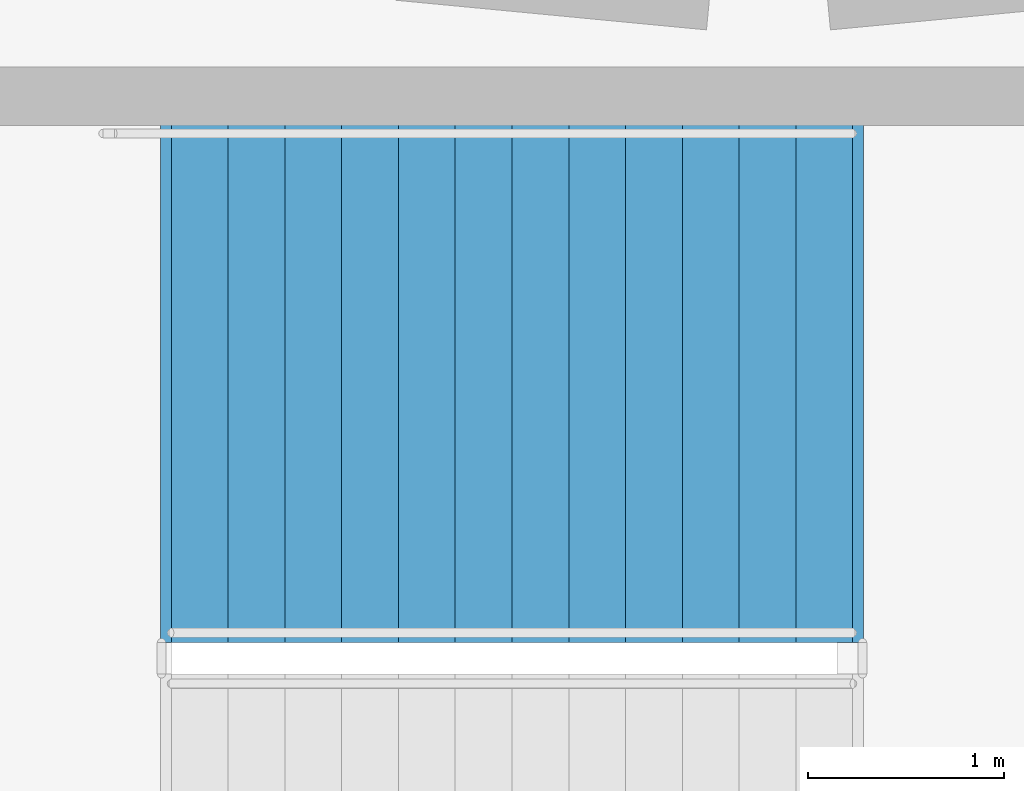
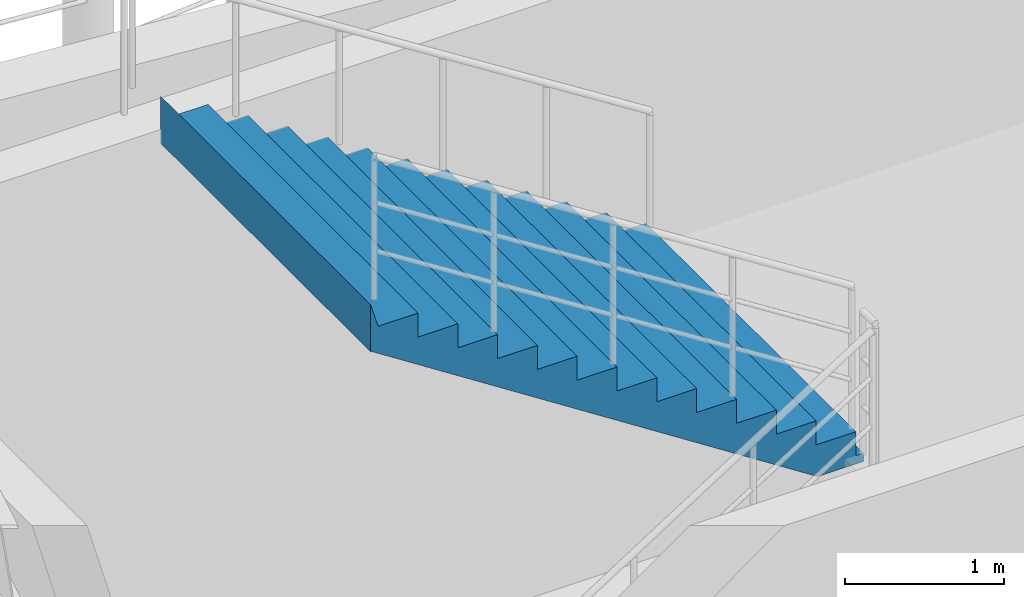
# One storey, part 117 of 144: 1 stair flight, 1 element without a shape of its own.
"""IFC4 building model written with IfcOpenShell, lengths in metres."""

import ifcopenshell
import ifcopenshell.guid

model = None  # the IFC model being written
_history = None  # IfcOwnerHistory: only IFC2X3 demands one
_inside = {}  # id of a spatial element -> (the spatial element, [elements in it])
_under = {}  # id of a project, library or spatial element -> (it, [spatial elements below it])
_declared = {}  # id of a project -> (the project, [libraries it declares])
_typed = {}  # id of a type object -> (the type object, [elements of that type])
_made_of = {}  # id of a material, layer set ... -> (it, [elements and type objects made of it])


def new_model(schema):
    """Start an empty IFC model of exactly this schema.

    Asked for "IFC4X3", IfcOpenShell would pick the latest addendum, in which some entities
    have other attributes; the version numbers below select the first issue.
    IFC2X3 requires an IfcOwnerHistory on every rooted entity: one is made here for all.
    """
    global model, _history
    if schema == "IFC4X3":
        model = ifcopenshell.file(schema_version=(4, 3, 0, 0))
    else:
        model = ifcopenshell.file(schema=schema)
    _inside.clear()
    _under.clear()
    _declared.clear()
    _typed.clear()
    _made_of.clear()
    _history = None
    if model.schema == "IFC2X3":
        org = make("IfcOrganization", Name="unknown")
        user = make(
            "IfcPersonAndOrganization",
            ThePerson=make("IfcPerson", FamilyName="unknown"),
            TheOrganization=org,
        )
        app = make(
            "IfcApplication",
            ApplicationDeveloper=org,
            Version="unknown",
            ApplicationFullName="unknown",
            ApplicationIdentifier="unknown",
        )
        _history = make(
            "IfcOwnerHistory",
            OwningUser=user,
            OwningApplication=app,
            ChangeAction="ADDED",
            CreationDate=0,
        )
    return model


def make(cls, **values):
    """One entity of the class cls with the attributes given. An attribute that is None is left unset."""
    return model.create_entity(
        cls, **{name: value for name, value in values.items() if value is not None}
    )


def rooted(cls, **values):
    """An entity with a GlobalId (a new one), such as an element, a storey or a relation."""
    return make(cls, GlobalId=ifcopenshell.guid.new(), OwnerHistory=_history, **values)


def si_unit(unit_type, name, prefix=None):
    """IfcSIUnit, for example si_unit("LENGTHUNIT", "METRE", prefix="MILLI")."""
    return make("IfcSIUnit", UnitType=unit_type, Prefix=prefix, Name=name)


def assignment(units):
    """IfcUnitAssignment: the units of a project."""
    return None if units is None else make("IfcUnitAssignment", Units=units)


def point(xyz):
    """IfcCartesianPoint."""
    return None if xyz is None else make("IfcCartesianPoint", Coordinates=xyz)


def direction(xyz):
    """IfcDirection."""
    return None if xyz is None else make("IfcDirection", DirectionRatios=xyz)


def frame(location, z_axis=None, x_axis=None):
    """IfcAxis2Placement3D, a coordinate frame: its origin and axes. An axis left out is left unset."""
    return make(
        "IfcAxis2Placement3D",
        Location=point(location),
        Axis=direction(z_axis),
        RefDirection=direction(x_axis),
    )


def origin():
    """The frame at (0, 0, 0) with its axes left unset."""
    return frame((0.0, 0.0, 0.0))


def place(relative_to, where):
    """IfcLocalPlacement: puts the frame where relative to a parent placement (None: the world)."""
    return make(
        "IfcLocalPlacement", PlacementRelTo=relative_to, RelativePlacement=where
    )


def context(
    kind, dimensions, precision=None, world=None, true_north=None, identifier=None
):
    """IfcGeometricRepresentationContext, for example the 3D "Model" context."""
    return make(
        "IfcGeometricRepresentationContext",
        ContextIdentifier=identifier,
        ContextType=kind,
        CoordinateSpaceDimension=dimensions,
        Precision=precision,
        WorldCoordinateSystem=world,
        TrueNorth=true_north,
    )


def subcontext(parent, identifier, kind, view, scale=None):
    """IfcGeometricRepresentationSubContext, for example "Body" below "Model"."""
    return make(
        "IfcGeometricRepresentationSubContext",
        ContextIdentifier=identifier,
        ContextType=kind,
        ParentContext=parent,
        TargetScale=scale,
        TargetView=view,
    )


def project(units=None, contexts=None):
    """IfcProject with its units and contexts."""
    return rooted(
        "IfcProject",
        Name="project",
        RepresentationContexts=contexts,
        UnitsInContext=assignment(units),
    )


def spatial(cls, under=None, at=None, **own):
    """A site, building, storey or space (cls), placed at a placement, below another one or the project."""
    s = rooted(cls, ObjectPlacement=at, **own)
    if under is not None:
        _under.setdefault(under.id(), (under, []))[1].append(s)
    return s


def polyline(points):
    """IfcPolyline through the points."""
    return make("IfcPolyline", Points=[point(p) for p in points])


def outline(outer, holes=None, kind="AREA"):
    """IfcArbitraryClosedProfileDef: a profile drawn as a closed curve; with holes, ...WithVoids."""
    if holes is None:
        return make("IfcArbitraryClosedProfileDef", ProfileType=kind, OuterCurve=outer)
    return make(
        "IfcArbitraryProfileDefWithVoids",
        ProfileType=kind,
        OuterCurve=outer,
        InnerCurves=holes,
    )


def extrude(swept, where, along, depth):
    """IfcExtrudedAreaSolid: the profile swept, set in the frame where, extruded along a direction by depth."""
    return make(
        "IfcExtrudedAreaSolid",
        SweptArea=swept,
        Position=where,
        ExtrudedDirection=direction(along),
        Depth=depth,
    )


def shape(context_of_items, identifier, shape_type, items):
    """IfcShapeRepresentation: the items that make up one representation, for example the "Body"."""
    return make(
        "IfcShapeRepresentation",
        ContextOfItems=context_of_items,
        RepresentationIdentifier=identifier,
        RepresentationType=shape_type,
        Items=items,
    )


def material(Name=None, Category=None):
    """IfcMaterial."""
    return make("IfcMaterial", Name=Name, Category=Category)


def made_of(thing, what):
    """Note that an element or type object is made of a material, layer set ...; save() writes the relation."""
    if what is not None:
        _made_of.setdefault(what.id(), (what, []))[1].append(thing)
    return thing


def type_object(cls, material=None, **own):
    """A type object (cls), such as IfcWallType, which elements share."""
    return made_of(rooted(cls, **own), material)


def element(
    cls,
    number,
    at=None,
    inside=None,
    cuts=None,
    type_object=None,
    material=None,
    context=None,
    identifier="Body",
    shape_type=None,
    held_by="IfcProductDefinitionShape",
    body=None,
    shapes=None,
    **own,
):
    """One element of the class cls, such as IfcWall. Its Tag is "e" and its number.

    at: its placement. inside: the storey or other place that contains it. cuts: it is an
    opening in that element (IfcRelVoidsElement). A single representation is given by context,
    identifier, shape_type and body (its items); several are given by shapes. held_by: the class
    of the entity that holds the representations. save() writes the other relations.
    """
    e = rooted(cls, Tag="e%d" % number, ObjectPlacement=at, **own)
    if body is not None:
        shapes = [shape(context, identifier, shape_type, body)]
    if shapes is not None:
        e.Representation = make(held_by, Representations=shapes)
    if inside is not None:
        _inside.setdefault(inside.id(), (inside, []))[1].append(e)
    if cuts is not None:
        rooted(
            "IfcRelVoidsElement", RelatingBuildingElement=cuts, RelatedOpeningElement=e
        )
    if type_object is not None:
        _typed.setdefault(type_object.id(), (type_object, []))[1].append(e)
    return made_of(e, material)


def aggregate(whole, parts):
    """IfcRelAggregates: a whole, such as a stair, and the parts it consists of."""
    return rooted("IfcRelAggregates", RelatingObject=whole, RelatedObjects=parts)


def save(model, path):
    """Write the relations noted so far, then the file.

    IfcRelAggregates (storeys below a building ...), IfcRelContainedInSpatialStructure (elements
    in a storey), IfcRelDefinesByType, IfcRelAssociatesMaterial and IfcRelDeclares: one each for
    every whole, place, type object, material and project.
    """
    for whole, parts in _under.values():
        aggregate(whole, parts)
    for where, things in _inside.values():
        rooted(
            "IfcRelContainedInSpatialStructure",
            RelatedElements=things,
            RelatingStructure=where,
        )
    for kind, things in _typed.values():
        rooted("IfcRelDefinesByType", RelatedObjects=things, RelatingType=kind)
    for what, things in _made_of.values():
        rooted("IfcRelAssociatesMaterial", RelatedObjects=things, RelatingMaterial=what)
    for by, libraries in _declared.values():
        rooted("IfcRelDeclares", RelatingContext=by, RelatedDefinitions=libraries)
    model.write(path)


model = new_model("IFC4")

# Units and contexts
model_context = context("Model", 3, precision=1e-05, world=origin(), true_north=direction((0.0, 1.0)))
body_context = subcontext(model_context, "Body", "Model", "MODEL_VIEW")
ifc_project = project(units=[si_unit("LENGTHUNIT", "METRE"), si_unit("AREAUNIT", "SQUARE_METRE"), si_unit("VOLUMEUNIT", "CUBIC_METRE"), si_unit("PLANEANGLEUNIT", "RADIAN"), si_unit("MASSUNIT", "GRAM", prefix="KILO")], contexts=[model_context])

# Site, building, storey
site_placement = place(None, origin())
site = spatial("IfcSite", under=ifc_project, at=site_placement, CompositionType="ELEMENT")
building_placement = place(site_placement, origin())
building = spatial("IfcBuilding", under=site, at=building_placement, Name="Cinderbank Siding Concert Hall", CompositionType="ELEMENT")
storey_placement = place(building_placement, frame((0.0, 0.0, 5.39990234375)))
storey = spatial("IfcBuildingStorey", under=building, at=storey_placement, Name="L02", CompositionType="ELEMENT", Elevation=5.39990234375)

# Stair, stair flight
ifc_material = material(Name="Reinforced concrete AS 3600 N50 (50 MPa)", Category="concrete")
stair_type = type_object("IfcStairType", Name="STR-A Dogleg Exit Stair 2650mm", PredefinedType="HALF_TURN_STAIR", material=ifc_material)
stair_placement = place(storey_placement, origin())
stair = element("IfcStair", 1, at=stair_placement, inside=storey, type_object=stair_type, Name="L02 Fire-isolated Exit Stair ST-02", PredefinedType="HALF_TURN_STAIR")
stair_flight_type = type_object("IfcStairFlightType", Name="SFL-A Concrete Stair Flight 2650mm", PredefinedType="STRAIGHT", material=ifc_material)
stair_flight_placement = place(storey_placement, frame((122.429931640625, 27.8349609375, 2.400146484375), z_axis=(0.0, 0.0, 1.0), x_axis=(-1.0, 0.0, 0.0)))
stair_flight = element("IfcStairFlight", 2, at=stair_flight_placement, type_object=stair_flight_type, Name="ST-02 flight 2", NumberOfRisers=13, NumberOfTreads=12, PredefinedType="STRAIGHT", RiserHeight=0.184615385, TreadLength=0.29, context=body_context, shape_type="SweptSolid", body=[
    extrude(outline(polyline([(0.0, 0.0), (0.0, 0.1845703125), (0.2900390625, 0.1845703125), (0.2900390625, 0.369140625), (0.580078125, 0.369140625), (0.580078125, 0.553955078125), (0.8701171875, 0.553955078125), (0.8701171875, 0.738525390625), (1.159912109375, 0.738525390625), (1.159912109375, 0.923095703125), (1.449951171875, 0.923095703125), (1.449951171875, 1.107666015625), (1.739990234375, 1.107666015625), (1.739990234375, 1.292236328125), (2.030029296875, 1.292236328125), (2.030029296875, 1.476806640625), (2.320068359375, 1.476806640625), (2.320068359375, 1.66162109375), (2.610107421875, 1.66162109375), (2.610107421875, 1.84619140625), (2.89990234375, 1.84619140625), (2.89990234375, 2.03076171875), (3.18994140625, 2.03076171875), (3.18994140625, 2.21533203125), (3.47998046875, 2.21533203125), (3.534912109375, 2.39990234375), (3.534912109375, 2.03759765625), (3.53466796875, 2.037841796875), (3.53466796875, 2.0380859375), (3.53466796875, 2.038330078125), (3.53466796875, 2.03857421875), (3.53466796875, 2.038818359375), (3.53466796875, 2.0390625), (3.53466796875, 2.039306640625), (3.53466796875, 2.03955078125), (3.53466796875, 2.039794921875), (3.53466796875, 2.0400390625), (3.53466796875, 2.040283203125), (3.53466796875, 2.04052734375), (3.534423828125, 2.04052734375), (3.534423828125, 2.040283203125), (3.534423828125, 2.0400390625), (3.534423828125, 2.039794921875), (3.534423828125, 2.03955078125), (3.534423828125, 2.039306640625), (3.534423828125, 2.0390625), (3.534423828125, 2.038818359375), (3.534423828125, 2.03857421875), (3.534423828125, 2.038330078125), (3.534423828125, 2.0380859375), (3.534423828125, 2.037841796875), (3.534423828125, 2.03759765625), (3.5341796875, 2.037841796875), (3.5341796875, 2.0380859375), (3.5341796875, 2.038330078125), (3.5341796875, 2.03857421875), (3.5341796875, 2.038818359375), (3.5341796875, 2.0390625), (3.5341796875, 2.039306640625), (3.5341796875, 2.03955078125), (3.5341796875, 2.039794921875), (3.5341796875, 2.0400390625), (3.5341796875, 2.040283203125), (3.5341796875, 2.04052734375), (3.533935546875, 2.04052734375), (3.533935546875, 2.040283203125), (3.533935546875, 2.0400390625), (3.533935546875, 2.039794921875), (3.533935546875, 2.03955078125), (3.533935546875, 2.039306640625), (3.533935546875, 2.0390625), (3.533935546875, 2.038818359375), (3.533935546875, 2.03857421875), (3.533935546875, 2.038330078125), (3.533935546875, 2.0380859375), (3.533935546875, 2.037841796875), (3.533935546875, 2.03759765625), (3.53369140625, 2.037841796875), (3.53369140625, 2.0380859375), (3.53369140625, 2.038330078125), (3.53369140625, 2.03857421875), (3.53369140625, 2.038818359375), (3.53369140625, 2.0390625), (3.53369140625, 2.039306640625), (3.53369140625, 2.03955078125), (3.53369140625, 2.039794921875), (3.53369140625, 2.0400390625), (3.53369140625, 2.040283203125), (3.53369140625, 2.04052734375), (3.533447265625, 2.04052734375), (3.533447265625, 2.040283203125), (3.533447265625, 2.0400390625), (3.533447265625, 2.039794921875), (3.533447265625, 2.03955078125), (3.533447265625, 2.039306640625), (3.533447265625, 2.0390625), (3.533447265625, 2.038818359375), (3.533447265625, 2.03857421875), (3.533447265625, 2.038330078125), (3.533447265625, 2.0380859375), (3.533447265625, 2.037841796875), (3.533447265625, 2.03759765625), (3.533203125, 2.037841796875), (3.533203125, 2.0380859375), (3.533203125, 2.038330078125), (3.533203125, 2.03857421875), (3.533203125, 2.038818359375), (3.533203125, 2.0390625), (3.533203125, 2.039306640625), (3.533203125, 2.03955078125), (3.533203125, 2.039794921875), (3.533203125, 2.0400390625), (3.533203125, 2.040283203125), (3.533203125, 2.04052734375), (3.532958984375, 2.04052734375), (3.532958984375, 2.040283203125), (3.532958984375, 2.0400390625), (3.532958984375, 2.039794921875), (3.532958984375, 2.03955078125), (3.532958984375, 2.039306640625), (3.532958984375, 2.0390625), (3.532958984375, 2.038818359375), (3.532958984375, 2.03857421875), (3.532958984375, 2.038330078125), (3.532958984375, 2.0380859375), (3.532958984375, 2.037841796875), (3.532958984375, 2.03759765625), (3.53271484375, 2.037841796875), (3.53271484375, 2.0380859375), (3.53271484375, 2.038330078125), (3.53271484375, 2.03857421875), (3.53271484375, 2.038818359375), (3.53271484375, 2.0390625), (3.53271484375, 2.039306640625), (3.53271484375, 2.03955078125), (3.53271484375, 2.039794921875), (3.53271484375, 2.0400390625), (3.53271484375, 2.040283203125), (3.53271484375, 2.04052734375), (3.532470703125, 2.04052734375), (3.532470703125, 2.040283203125), (3.532470703125, 2.0400390625), (3.532470703125, 2.039794921875), (3.532470703125, 2.03955078125), (3.532470703125, 2.039306640625), (3.532470703125, 2.0390625), (3.532470703125, 2.038818359375), (3.532470703125, 2.03857421875), (3.532470703125, 2.038330078125), (3.532470703125, 2.0380859375), (3.532470703125, 2.037841796875), (3.532470703125, 2.03759765625), (3.5322265625, 2.037841796875), (3.5322265625, 2.0380859375), (3.5322265625, 2.038330078125), (3.5322265625, 2.03857421875), (3.5322265625, 2.038818359375), (3.5322265625, 2.0390625), (3.5322265625, 2.039306640625), (3.5322265625, 2.03955078125), (3.5322265625, 2.039794921875), (3.5322265625, 2.0400390625), (3.5322265625, 2.040283203125), (3.5322265625, 2.04052734375), (3.531982421875, 2.04052734375), (3.531982421875, 2.040283203125), (3.531982421875, 2.0400390625), (3.531982421875, 2.039794921875), (3.531982421875, 2.03955078125), (3.531982421875, 2.039306640625), (3.531982421875, 2.0390625), (3.531982421875, 2.038818359375), (3.531982421875, 2.03857421875), (3.531982421875, 2.038330078125), (3.531982421875, 2.0380859375), (3.531982421875, 2.037841796875), (3.531982421875, 2.03759765625), (3.53173828125, 2.037841796875), (3.53173828125, 2.0380859375), (3.53173828125, 2.038330078125), (3.53173828125, 2.03857421875), (3.53173828125, 2.038818359375), (3.53173828125, 2.0390625), (3.53173828125, 2.039306640625), (3.53173828125, 2.03955078125), (3.53173828125, 2.039794921875), (3.53173828125, 2.0400390625), (3.53173828125, 2.040283203125), (3.53173828125, 2.04052734375), (3.531494140625, 2.04052734375), (3.531494140625, 2.040283203125), (3.531494140625, 2.0400390625), (3.531494140625, 2.039794921875), (3.531494140625, 2.03955078125), (3.531494140625, 2.039306640625), (3.531494140625, 2.0390625), (3.531494140625, 2.038818359375), (3.531494140625, 2.03857421875), (3.531494140625, 2.038330078125), (3.531494140625, 2.0380859375), (3.531494140625, 2.037841796875), (3.531494140625, 2.03759765625), (3.53125, 2.037841796875), (3.53125, 2.0380859375), (3.53125, 2.038330078125), (3.53125, 2.03857421875), (3.53125, 2.038818359375), (3.53125, 2.0390625), (3.53125, 2.039306640625), (3.53125, 2.03955078125), (3.53125, 2.039794921875), (3.53125, 2.0400390625), (3.53125, 2.040283203125), (3.53125, 2.04052734375), (3.531005859375, 2.04052734375), (3.531005859375, 2.040283203125), (3.531005859375, 2.0400390625), (3.531005859375, 2.039794921875), (3.531005859375, 2.03955078125), (3.531005859375, 2.039306640625), (3.531005859375, 2.0390625), (3.531005859375, 2.038818359375), (3.531005859375, 2.03857421875), (3.531005859375, 2.038330078125), (3.531005859375, 2.0380859375), (3.531005859375, 2.037841796875), (3.531005859375, 2.03759765625), (3.53076171875, 2.037841796875), (3.53076171875, 2.0380859375), (3.53076171875, 2.038330078125), (3.53076171875, 2.03857421875), (3.53076171875, 2.038818359375), (3.53076171875, 2.0390625), (3.53076171875, 2.039306640625), (3.53076171875, 2.03955078125), (3.53076171875, 2.039794921875), (3.53076171875, 2.0400390625), (3.53076171875, 2.040283203125), (3.53076171875, 2.04052734375), (3.530517578125, 2.04052734375), (3.530517578125, 2.040283203125), (3.530517578125, 2.0400390625), (3.530517578125, 2.039794921875), (3.530517578125, 2.03955078125), (3.530517578125, 2.039306640625), (3.530517578125, 2.0390625), (3.530517578125, 2.038818359375), (3.530517578125, 2.03857421875), (3.530517578125, 2.038330078125), (3.530517578125, 2.0380859375), (3.530517578125, 2.037841796875), (3.530517578125, 2.03759765625), (3.5302734375, 2.037841796875), (3.5302734375, 2.0380859375), (3.5302734375, 2.038330078125), (3.5302734375, 2.03857421875), (3.5302734375, 2.038818359375), (3.5302734375, 2.0390625), (3.5302734375, 2.039306640625), (3.5302734375, 2.03955078125), (3.5302734375, 2.039794921875), (3.5302734375, 2.0400390625), (3.5302734375, 2.040283203125), (3.5302734375, 2.04052734375), (3.530029296875, 2.04052734375), (3.530029296875, 2.040283203125), (3.530029296875, 2.0400390625), (3.530029296875, 2.039794921875), (3.530029296875, 2.03955078125), (3.530029296875, 2.039306640625), (3.530029296875, 2.0390625), (3.530029296875, 2.038818359375), (3.530029296875, 2.03857421875), (3.530029296875, 2.038330078125), (3.530029296875, 2.0380859375), (3.530029296875, 2.037841796875), (3.530029296875, 2.03759765625), (3.52978515625, 2.037841796875), (3.52978515625, 2.0380859375), (3.52978515625, 2.038330078125), (3.52978515625, 2.03857421875), (3.52978515625, 2.038818359375), (3.52978515625, 2.0390625), (3.52978515625, 2.039306640625), (3.52978515625, 2.03955078125), (3.52978515625, 2.039794921875), (3.52978515625, 2.0400390625), (3.52978515625, 2.040283203125), (3.52978515625, 2.04052734375), (3.529541015625, 2.04052734375), (3.529541015625, 2.040283203125), (3.529541015625, 2.0400390625), (3.529541015625, 2.039794921875), (3.529541015625, 2.03955078125), (3.529541015625, 2.039306640625), (3.529541015625, 2.0390625), (3.529541015625, 2.038818359375), (3.529541015625, 2.03857421875), (3.529541015625, 2.038330078125), (3.529541015625, 2.0380859375), (3.529541015625, 2.037841796875), (3.529541015625, 2.03759765625), (3.529296875, 2.037841796875), (3.529296875, 2.0380859375), (3.529296875, 2.038330078125), (3.529296875, 2.03857421875), (3.529296875, 2.038818359375), (3.529296875, 2.0390625), (3.529296875, 2.039306640625), (3.529296875, 2.03955078125), (3.529296875, 2.039794921875), (3.529296875, 2.0400390625), (3.529296875, 2.040283203125), (3.529296875, 2.04052734375), (3.529052734375, 2.04052734375), (3.529052734375, 2.040283203125), (3.529052734375, 2.0400390625), (3.529052734375, 2.039794921875), (3.529052734375, 2.03955078125), (3.529052734375, 2.039306640625), (3.529052734375, 2.0390625), (3.529052734375, 2.038818359375), (3.529052734375, 2.03857421875), (3.529052734375, 2.038330078125), (3.529052734375, 2.0380859375), (3.529052734375, 2.037841796875), (3.529052734375, 2.03759765625), (3.52880859375, 2.037841796875), (3.52880859375, 2.0380859375), (3.52880859375, 2.038330078125), (3.52880859375, 2.03857421875), (3.52880859375, 2.038818359375), (3.52880859375, 2.0390625), (3.52880859375, 2.039306640625), (3.52880859375, 2.03955078125), (3.52880859375, 2.039794921875), (3.52880859375, 2.0400390625), (3.52880859375, 2.040283203125), (3.52880859375, 2.04052734375), (3.528564453125, 2.04052734375), (3.528564453125, 2.040283203125), (3.528564453125, 2.0400390625), (3.528564453125, 2.039794921875), (3.528564453125, 2.03955078125), (3.528564453125, 2.039306640625), (3.528564453125, 2.0390625), (3.528564453125, 2.038818359375), (3.528564453125, 2.03857421875), (3.528564453125, 2.038330078125), (3.528564453125, 2.0380859375), (3.528564453125, 2.037841796875), (3.528564453125, 2.03759765625), (0.279052734375, -0.06396484375), (-0.048583984375, -0.063720703125), (-0.048583984375, -0.0634765625), (-0.048583984375, -0.063232421875), (-0.048583984375, -0.06298828125), (-0.048583984375, -0.062744140625), (-0.048583984375, -0.0625), (-0.048583984375, -0.062255859375), (-0.048583984375, -0.06201171875), (-0.048583984375, -0.061767578125), (-0.048583984375, -0.0615234375), (-0.048583984375, -0.061279296875), (-0.048583984375, -0.06103515625), (-0.048828125, -0.06103515625), (-0.048828125, -0.061279296875), (-0.048828125, -0.0615234375), (-0.048828125, -0.061767578125), (-0.048828125, -0.06201171875), (-0.048828125, -0.062255859375), (-0.048828125, -0.0625), (-0.048828125, -0.062744140625), (-0.048828125, -0.06298828125), (-0.048828125, -0.063232421875), (-0.048828125, -0.0634765625), (-0.048828125, -0.063720703125), (-0.048828125, -0.06396484375), (-0.049072265625, -0.063720703125), (-0.049072265625, -0.0634765625), (-0.049072265625, -0.063232421875), (-0.049072265625, -0.06298828125), (-0.049072265625, -0.062744140625), (-0.049072265625, -0.0625), (-0.049072265625, -0.062255859375), (-0.049072265625, -0.06201171875), (-0.049072265625, -0.061767578125), (-0.049072265625, -0.0615234375), (-0.049072265625, -0.061279296875), (-0.049072265625, -0.06103515625), (-0.04931640625, -0.06103515625), (-0.04931640625, -0.061279296875), (-0.04931640625, -0.0615234375), (-0.04931640625, -0.061767578125), (-0.04931640625, -0.06201171875), (-0.04931640625, -0.062255859375), (-0.04931640625, -0.0625), (-0.04931640625, -0.062744140625), (-0.04931640625, -0.06298828125), (-0.04931640625, -0.063232421875), (-0.04931640625, -0.0634765625), (-0.04931640625, -0.063720703125), (-0.04931640625, -0.06396484375), (-0.049560546875, -0.063720703125), (-0.049560546875, -0.0634765625), (-0.049560546875, -0.063232421875), (-0.049560546875, -0.06298828125), (-0.049560546875, -0.062744140625), (-0.049560546875, -0.0625), (-0.049560546875, -0.062255859375), (-0.049560546875, -0.06201171875), (-0.049560546875, -0.061767578125), (-0.049560546875, -0.0615234375), (-0.049560546875, -0.061279296875), (-0.049560546875, -0.06103515625), (-0.0498046875, -0.06103515625), (-0.0498046875, -0.061279296875), (-0.0498046875, -0.0615234375), (-0.0498046875, -0.061767578125), (-0.0498046875, -0.06201171875), (-0.0498046875, -0.062255859375), (-0.0498046875, -0.0625), (-0.0498046875, -0.062744140625), (-0.0498046875, -0.06298828125), (-0.0498046875, -0.063232421875), (-0.0498046875, -0.0634765625), (-0.0498046875, -0.063720703125), (-0.0498046875, -0.06396484375), (-0.050048828125, -0.063720703125), (-0.050048828125, -0.0634765625), (-0.050048828125, -0.063232421875), (-0.050048828125, -0.06298828125), (-0.050048828125, -0.062744140625), (-0.050048828125, -0.0625), (-0.050048828125, -0.062255859375), (-0.050048828125, -0.06201171875), (-0.050048828125, -0.061767578125), (-0.050048828125, -0.0615234375), (-0.050048828125, -0.061279296875), (-0.050048828125, -0.06103515625), (-0.05029296875, -0.06103515625), (-0.05029296875, -0.061279296875), (-0.05029296875, -0.0615234375), (-0.05029296875, -0.061767578125), (-0.05029296875, -0.06201171875), (-0.05029296875, -0.062255859375), (-0.05029296875, -0.0625), (-0.05029296875, -0.062744140625), (-0.05029296875, -0.06298828125), (-0.05029296875, -0.063232421875), (-0.05029296875, -0.0634765625), (-0.05029296875, -0.063720703125), (-0.05029296875, -0.06396484375), (-0.050537109375, -0.063720703125), (-0.050537109375, -0.0634765625), (-0.050537109375, -0.063232421875), (-0.050537109375, -0.06298828125), (-0.050537109375, -0.062744140625), (-0.050537109375, -0.0625), (-0.050537109375, -0.062255859375), (-0.050537109375, -0.06201171875), (-0.050537109375, -0.061767578125), (-0.050537109375, -0.0615234375), (-0.050537109375, -0.061279296875), (-0.050537109375, -0.06103515625), (-0.05078125, -0.06103515625), (-0.05078125, -0.061279296875), (-0.05078125, -0.0615234375), (-0.05078125, -0.061767578125), (-0.05078125, -0.06201171875), (-0.05078125, -0.062255859375), (-0.05078125, -0.0625), (-0.05078125, -0.062744140625), (-0.05078125, -0.06298828125), (-0.05078125, -0.063232421875), (-0.05078125, -0.0634765625), (-0.05078125, -0.063720703125), (-0.05078125, -0.06396484375), (-0.051025390625, -0.063720703125), (-0.051025390625, -0.0634765625), (-0.051025390625, -0.063232421875), (-0.051025390625, -0.06298828125), (-0.051025390625, -0.062744140625), (-0.051025390625, -0.0625), (-0.051025390625, -0.062255859375), (-0.051025390625, -0.06201171875), (-0.051025390625, -0.061767578125), (-0.051025390625, -0.0615234375), (-0.051025390625, -0.061279296875), (-0.051025390625, -0.06103515625), (-0.05126953125, -0.06103515625), (-0.05126953125, -0.061279296875), (-0.05126953125, -0.0615234375), (-0.05126953125, -0.061767578125), (-0.05126953125, -0.06201171875), (-0.05126953125, -0.062255859375), (-0.05126953125, -0.0625), (-0.05126953125, -0.062744140625), (-0.05126953125, -0.06298828125), (-0.05126953125, -0.063232421875), (-0.05126953125, -0.0634765625), (-0.05126953125, -0.063720703125), (-0.05126953125, -0.06396484375), (-0.051513671875, -0.063720703125), (-0.051513671875, -0.0634765625), (-0.051513671875, -0.063232421875), (-0.051513671875, -0.06298828125), (-0.051513671875, -0.062744140625), (-0.051513671875, -0.0625), (-0.051513671875, -0.062255859375), (-0.051513671875, -0.06201171875), (-0.051513671875, -0.061767578125), (-0.051513671875, -0.0615234375), (-0.051513671875, -0.061279296875), (-0.051513671875, -0.06103515625), (-0.0517578125, -0.06103515625), (-0.0517578125, -0.061279296875), (-0.0517578125, -0.0615234375), (-0.0517578125, -0.061767578125), (-0.0517578125, -0.06201171875), (-0.0517578125, -0.062255859375), (-0.0517578125, -0.0625), (-0.0517578125, -0.062744140625), (-0.0517578125, -0.06298828125), (-0.0517578125, -0.063232421875), (-0.0517578125, -0.0634765625), (-0.0517578125, -0.063720703125), (-0.0517578125, -0.06396484375), (-0.052001953125, -0.063720703125), (-0.052001953125, -0.0634765625), (-0.052001953125, -0.063232421875), (-0.052001953125, -0.06298828125), (-0.052001953125, -0.062744140625), (-0.052001953125, -0.0625), (-0.052001953125, -0.062255859375), (-0.052001953125, -0.06201171875), (-0.052001953125, -0.061767578125), (-0.052001953125, -0.0615234375), (-0.052001953125, -0.061279296875), (-0.052001953125, -0.06103515625), (-0.05224609375, -0.06103515625), (-0.05224609375, -0.061279296875), (-0.05224609375, -0.0615234375), (-0.05224609375, -0.061767578125), (-0.05224609375, -0.06201171875), (-0.05224609375, -0.062255859375), (-0.05224609375, -0.0625), (-0.05224609375, -0.062744140625), (-0.05224609375, -0.06298828125), (-0.05224609375, -0.063232421875), (-0.05224609375, -0.0634765625), (-0.05224609375, -0.063720703125), (-0.05224609375, -0.06396484375), (-0.052490234375, -0.063720703125), (-0.052490234375, -0.0634765625), (-0.052490234375, -0.063232421875), (-0.052490234375, -0.06298828125), (-0.052490234375, -0.062744140625), (-0.052490234375, -0.0625), (-0.052490234375, -0.062255859375), (-0.052490234375, -0.06201171875), (-0.052490234375, -0.061767578125), (-0.052490234375, -0.0615234375), (-0.052490234375, -0.061279296875), (-0.052490234375, -0.06103515625), (-0.052734375, -0.06103515625), (-0.052734375, -0.061279296875), (-0.052734375, -0.0615234375), (-0.052734375, -0.061767578125), (-0.052734375, -0.06201171875), (-0.052734375, -0.062255859375), (-0.052734375, -0.0625), (-0.052734375, -0.062744140625), (-0.052734375, -0.06298828125), (-0.052734375, -0.063232421875), (-0.052734375, -0.0634765625), (-0.052734375, -0.063720703125), (-0.052734375, -0.06396484375), (-0.052978515625, -0.063720703125), (-0.052978515625, -0.0634765625), (-0.052978515625, -0.063232421875), (-0.052978515625, -0.06298828125), (-0.052978515625, -0.062744140625), (-0.052978515625, -0.0625), (-0.052978515625, -0.062255859375), (-0.052978515625, -0.06201171875), (-0.052978515625, -0.061767578125), (-0.052978515625, -0.0615234375), (-0.052978515625, -0.061279296875), (-0.052978515625, -0.06103515625), (-0.05322265625, -0.06103515625), (-0.05322265625, -0.061279296875), (-0.05322265625, -0.0615234375), (-0.05322265625, -0.061767578125), (-0.05322265625, -0.06201171875), (-0.05322265625, -0.062255859375), (-0.05322265625, -0.0625), (-0.05322265625, -0.062744140625), (-0.05322265625, -0.06298828125), (-0.05322265625, -0.063232421875), (-0.05322265625, -0.0634765625), (-0.05322265625, -0.063720703125), (-0.05322265625, -0.06396484375), (-0.053466796875, -0.063720703125), (-0.053466796875, -0.0634765625), (-0.053466796875, -0.063232421875), (-0.053466796875, -0.06298828125), (-0.053466796875, -0.062744140625), (-0.053466796875, -0.0625), (-0.053466796875, -0.062255859375), (-0.053466796875, -0.06201171875), (-0.053466796875, -0.061767578125), (-0.053466796875, -0.0615234375), (-0.053466796875, -0.061279296875), (-0.053466796875, -0.06103515625), (-0.0537109375, -0.06103515625), (-0.0537109375, -0.061279296875), (-0.0537109375, -0.0615234375), (-0.0537109375, -0.061767578125), (-0.0537109375, -0.06201171875), (-0.0537109375, -0.062255859375), (-0.0537109375, -0.0625), (-0.0537109375, -0.062744140625), (-0.0537109375, -0.06298828125), (-0.0537109375, -0.063232421875), (-0.0537109375, -0.0634765625), (-0.0537109375, -0.063720703125), (-0.0537109375, -0.06396484375), (-0.053955078125, -0.063720703125), (-0.053955078125, -0.0634765625), (-0.053955078125, -0.063232421875), (-0.053955078125, -0.06298828125), (-0.053955078125, -0.062744140625), (-0.053955078125, -0.0625), (-0.053955078125, -0.062255859375), (-0.053955078125, -0.06201171875), (-0.053955078125, -0.061767578125), (-0.053955078125, -0.0615234375), (-0.053955078125, -0.061279296875), (-0.053955078125, -0.06103515625), (-0.05419921875, -0.06103515625), (-0.05419921875, -0.061279296875), (-0.05419921875, -0.0615234375), (-0.05419921875, -0.061767578125), (-0.05419921875, -0.06201171875), (-0.05419921875, -0.062255859375), (-0.05419921875, -0.0625), (-0.05419921875, -0.062744140625), (-0.05419921875, -0.06298828125), (-0.05419921875, -0.063232421875), (-0.05419921875, -0.0634765625), (-0.05419921875, -0.063720703125), (-0.05419921875, -0.06396484375), (-0.054443359375, -0.063720703125), (-0.054443359375, -0.0634765625), (-0.054443359375, -0.063232421875), (-0.054443359375, -0.06298828125), (-0.054443359375, -0.062744140625), (-0.054443359375, -0.0625), (-0.054443359375, -0.062255859375), (-0.054443359375, -0.06201171875), (-0.054443359375, -0.061767578125), (-0.054443359375, -0.0615234375), (-0.054443359375, -0.061279296875), (-0.054443359375, -0.06103515625), (-0.0546875, -0.06103515625), (-0.0546875, -0.061279296875), (-0.0546875, -0.0615234375), (-0.0546875, -0.061767578125), (-0.0546875, -0.06201171875), (-0.0546875, -0.062255859375), (-0.0546875, -0.0625), (-0.0546875, -0.062744140625), (-0.0546875, -0.06298828125), (-0.0546875, -0.063232421875), (-0.0546875, -0.0634765625), (-0.0546875, -0.063720703125), (-0.0546875, -0.06396484375), (-0.054931640625, -0.06396484375), (-0.054931640625, 0.0), (0.0, 0.0)])), frame((0.0, 1.324951171875, 0.0), z_axis=(0.0, -1.0, 0.0), x_axis=(1.0, 0.0, 0.0)), (0.0, 0.0, 1.0), 2.64990234375),
])
aggregate(stair, [stair_flight])

save(model, "model.ifc")
